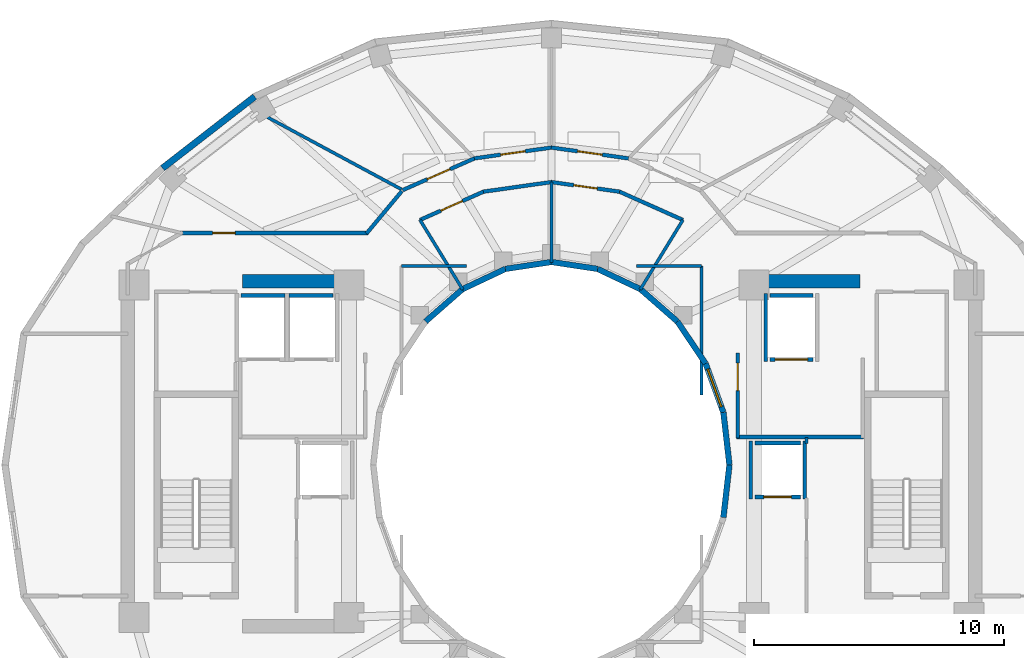
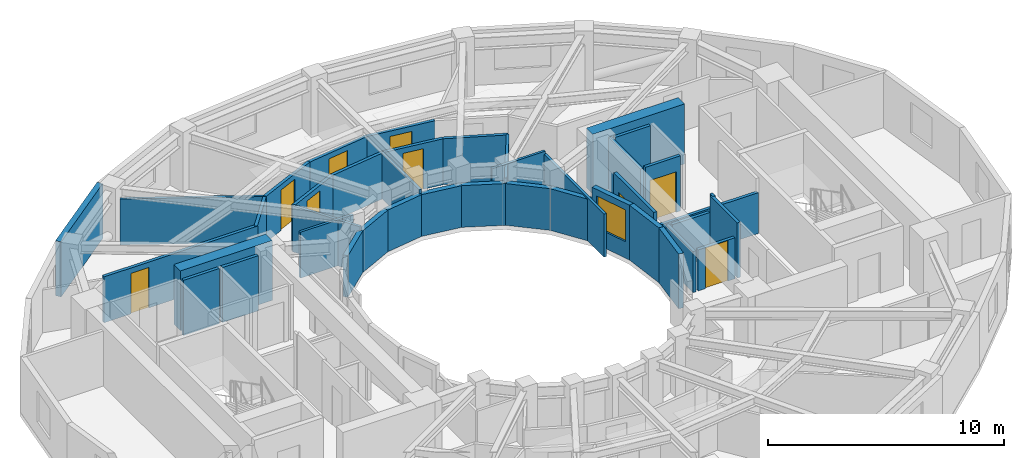
# One storey, part 5 of 9: 41 walls, 9 doors, 1 window, 10 openings.
"""IFC4 building model written with IfcOpenShell, lengths in metres."""

from ifc_helpers import new_model, si_unit, direction, frame, frame_2d, origin, place, context, subcontext, project, spatial, rectangle, extrude, material, layer, layer_set, type_object, element, fill, save


model = new_model("IFC4")

# Units and contexts
model_context = context("Model", 3, precision=1e-05, world=origin(), true_north=direction((0.0, 1.0)))
body_context = subcontext(model_context, "Body", "Model", "MODEL_VIEW")
ifc_project = project(units=[si_unit("LENGTHUNIT", "METRE"), si_unit("AREAUNIT", "SQUARE_METRE"), si_unit("VOLUMEUNIT", "CUBIC_METRE"), si_unit("PLANEANGLEUNIT", "RADIAN"), si_unit("MASSUNIT", "GRAM", prefix="KILO")], contexts=[model_context])

# Site, building, storey
site_placement = place(None, origin())
site = spatial("IfcSite", under=ifc_project, at=site_placement, CompositionType="ELEMENT")
building_placement = place(site_placement, origin())
building = spatial("IfcBuilding", under=site, at=building_placement, Name="Solvane Sanctuary Tower", CompositionType="ELEMENT")
storey_placement = place(building_placement, frame((0.0, 0.0, 232.60009765625)))
storey = spatial("IfcBuildingStorey", under=building, at=storey_placement, Name="L71", CompositionType="ELEMENT", Elevation=232.60009765625)

# Walls
ifc_material_1 = material(Name="Concrete C50/60", Category="concrete")
ifc_layer_1 = layer(ifc_material_1, 0.550048828125, Name="Concrete C50/60")
ifc_layer_set_1 = layer_set([ifc_layer_1], Name="Concrete C50/60")
wall_type_1 = type_object("IfcWallType", Name="Wall W-CORE-550", PredefinedType="SHEAR", material=ifc_layer_set_1)
for number, where, z_axis, x_axis, name in (
    (1, (19.64990234375, 30.35009765625, 0.0), (0.0, 0.0, 1.0), (1.0, 0.0, 0.0), "L71 Core Shear Wall WC-N"),
    (2, (39.85009765625, 30.35009765625, 0.0), (0.0, 0.0, 1.0), (1.0, 0.0, 0.0), "L71 Core Shear Wall EC-N"),
):
    element("IfcWall", number, at=place(storey_placement, frame(where, z_axis=z_axis, x_axis=x_axis)), inside=storey, type_object=wall_type_1, Name=name, PredefinedType="SHEAR", context=body_context, shape_type="SweptSolid", body=[
        extrude(rectangle(XDim=4.5, YDim=0.550048828125, at=frame_2d((2.25, 0.0))), origin(), (0.0, 0.0, 1.0), 3.099853515625),
    ])
ifc_material_2 = material(Name="Acoustic Gypsum Partition Board")
ifc_layer_2 = layer(ifc_material_2, 0.14990234375, Name="Acoustic Gypsum Partition Board")
ifc_layer_set_2 = layer_set([ifc_layer_2], Name="Acoustic Gypsum Partition Board")
wall_type_2 = type_object("IfcWallType", Name="Wall W-CORR-150", PredefinedType="PARTITIONING", material=ifc_layer_set_2)
wall_1_placement = place(storey_placement, frame((39.39990234375, 24.1201171875, 0.0), z_axis=(0.0, 0.0, 1.0), x_axis=(1.0, 0.0, 0.0)))
element("IfcWall", 3, at=wall_1_placement, inside=storey, type_object=wall_type_2, Name="L71 East Firefighting Lobby South Wall", PredefinedType="PARTITIONING", context=body_context, shape_type="SweptSolid", body=[
    extrude(rectangle(XDim=5.080078125, YDim=0.14990234375, at=frame_2d((2.5400390625, 0.0))), origin(), (0.0, 0.0, 1.0), 2.119873046875),
])

# Wall, opening, door
wall_2_placement = place(storey_placement, frame((39.449951171875, 24.080078125, 0.0), z_axis=(0.0, 0.0, 1.0), x_axis=(0.0, 1.0, 0.0)))
wall_2 = element("IfcWall", 4, at=wall_2_placement, inside=storey, type_object=wall_type_2, Name="L71 East Firefighting Lobby West Wall", PredefinedType="PARTITIONING", context=body_context, shape_type="SweptSolid", body=[
    extrude(rectangle(XDim=3.39990234375, YDim=0.14990234375, at=frame_2d((1.699951171875, 0.0))), origin(), (0.0, 0.0, 1.0), 2.85498046875),
])
opening_1_placement = place(wall_2_placement, frame((1.893798828125, 0.0, 0.0)))
opening_1 = element("IfcOpeningElement", 5, at=opening_1_placement, cuts=wall_2, Name="Opening D-L71-04", PredefinedType="OPENING", context=body_context, shape_type="SweptSolid", body=[
    extrude(rectangle(XDim=1.10009765625, YDim=2.10009765625, at=frame_2d((0.550048828125, 1.050048828125))), frame((0.0, 0.0849609375, 0.0), z_axis=(0.0, -1.0, 0.0), x_axis=(1.0, 0.0, 0.0)), (0.0, 0.0, 1.0), 0.169921875),
])
ifc_material_3 = material(Name="Architectural Stainless Steel 316", Category="steel")
door_type_1 = type_object("IfcDoorType", Name="Door D-FFL", OperationType="NOTDEFINED", PredefinedType="DOOR", material=ifc_material_3)
door_1_placement = place(opening_1_placement, origin())
door_1 = element("IfcDoor", 6, at=door_1_placement, inside=storey, type_object=door_type_1, Name="L71 East Firefighting Lobby Fire Door", OperationType="SINGLE_SWING_LEFT", OverallHeight=2.10009765625, OverallWidth=1.10009765625, PredefinedType="DOOR", context=body_context, shape_type="SweptSolid", body=[
    extrude(rectangle(XDim=1.10009765625, YDim=2.10009765625, at=frame_2d((0.550048828125, 1.050048828125))), frame((0.0, 0.02490234375, 0.0), z_axis=(0.0, -1.0, 0.0), x_axis=(1.0, 0.0, 0.0)), (0.0, 0.0, 1.0), 0.050048828125),
])
fill(opening_1, door_1)

# Wall
wall_3_placement = place(storey_placement, frame((37.265380859375, 32.797607421875, 0.0), z_axis=(0.0, 0.0, 1.0), x_axis=(-0.913254317828, 0.407389924971, 0.0)))
element("IfcWall", 7, at=wall_3_placement, inside=storey, type_object=wall_type_2, Name="L71 Light-Well Alcove Corridor Wall 1", PredefinedType="PARTITIONING", context=body_context, shape_type="SweptSolid", body=[
    extrude(rectangle(XDim=2.78662109375, YDim=0.14990234375, at=frame_2d((1.393310546875, 0.0))), origin(), (0.0, 0.0, 1.0), 2.3759765625),
])

# Wall, opening, door
wall_4_placement = place(storey_placement, frame((34.72412109375, 33.931884765625, 0.0), z_axis=(0.0, 0.0, 1.0), x_axis=(-0.990150268487, 0.140008734782, 0.0)))
wall_4 = element("IfcWall", 8, at=wall_4_placement, inside=storey, type_object=wall_type_2, Name="L71 Light-Well Alcove Corridor Wall 1", PredefinedType="PARTITIONING", context=body_context, shape_type="SweptSolid", body=[
    extrude(rectangle(XDim=2.758544921875, YDim=0.14990234375, at=frame_2d((1.37939453125, 0.0))), origin(), (0.0, 0.0, 1.0), 2.3759765625),
])
opening_2_placement = place(wall_4_placement, frame((0.904296875, 0.0, 0.0)))
opening_2 = element("IfcOpeningElement", 9, at=opening_2_placement, cuts=wall_4, Name="Opening D-L71-09", PredefinedType="OPENING", context=body_context, shape_type="SweptSolid", body=[
    extrude(rectangle(XDim=0.949951171875, YDim=2.10009765625, at=frame_2d((0.47509765625, 1.050048828125))), frame((0.0, 0.0849609375, 0.0), z_axis=(0.0, -1.0, 0.0), x_axis=(1.0, 0.0, 0.0)), (0.0, 0.0, 1.0), 0.169921875),
])
ifc_material_4 = material(Name="Engineered Tropical Hardwood", Category="wood")
door_type_2 = type_object("IfcDoorType", Name="Door D-ROOM-950", OperationType="NOTDEFINED", PredefinedType="DOOR", material=ifc_material_4)
door_2_placement = place(opening_2_placement, origin())
door_2 = element("IfcDoor", 10, at=door_2_placement, inside=storey, type_object=door_type_2, Name="L71 Light-Well Alcove Door 1", OperationType="SINGLE_SWING_RIGHT", OverallHeight=2.10009765625, OverallWidth=0.949951171875, PredefinedType="DOOR", context=body_context, shape_type="SweptSolid", body=[
    extrude(rectangle(XDim=0.949951171875, YDim=2.10009765625, at=frame_2d((0.47509765625, 1.050048828125))), frame((0.0, 0.02490234375, 0.0), z_axis=(0.0, -1.0, 0.0), x_axis=(1.0, 0.0, 0.0)), (0.0, 0.0, 1.0), 0.050048828125),
])
fill(opening_2, door_2)

# Wall
wall_5_placement = place(storey_placement, frame((32.00732421875, 34.318115234375, 0.0), z_axis=(0.0, 0.0, 1.0), x_axis=(-0.990150268487, -0.140008734782, 0.0)))
element("IfcWall", 11, at=wall_5_placement, inside=storey, type_object=wall_type_2, Name="L71 Light-Well Alcove Corridor Wall 2", PredefinedType="PARTITIONING", context=body_context, shape_type="SweptSolid", body=[
    extrude(rectangle(XDim=2.758544921875, YDim=0.14990234375, at=frame_2d((1.37939453125, 0.0))), origin(), (0.0, 0.0, 1.0), 2.3759765625),
])

# Wall, opening, door
wall_6_placement = place(storey_placement, frame((29.279541015625, 33.932861328125, 0.0), z_axis=(0.0, 0.0, 1.0), x_axis=(-0.913254317828, -0.407389924971, 0.0)))
wall_6 = element("IfcWall", 12, at=wall_6_placement, inside=storey, type_object=wall_type_2, Name="L71 Light-Well Alcove Corridor Wall 2", PredefinedType="PARTITIONING", context=body_context, shape_type="SweptSolid", body=[
    extrude(rectangle(XDim=2.78662109375, YDim=0.14990234375, at=frame_2d((1.393310546875, 0.0))), origin(), (0.0, 0.0, 1.0), 2.3759765625),
])
opening_3_placement = place(wall_6_placement, frame((0.918212890625, 0.0, 0.0)))
opening_3 = element("IfcOpeningElement", 13, at=opening_3_placement, cuts=wall_6, Name="Opening D-L71-10", PredefinedType="OPENING", context=body_context, shape_type="SweptSolid", body=[
    extrude(rectangle(XDim=0.949951171875, YDim=2.10009765625, at=frame_2d((0.47509765625, 1.050048828125))), frame((0.0, 0.0849609375, 0.0), z_axis=(0.0, -1.0, 0.0), x_axis=(1.0, 0.0, 0.0)), (0.0, 0.0, 1.0), 0.169921875),
])
door_3_placement = place(opening_3_placement, origin())
door_3 = element("IfcDoor", 14, at=door_3_placement, inside=storey, type_object=door_type_2, Name="L71 Light-Well Alcove Door 2", OperationType="SINGLE_SWING_LEFT", OverallHeight=2.10009765625, OverallWidth=0.949951171875, PredefinedType="DOOR", context=body_context, shape_type="SweptSolid", body=[
    extrude(rectangle(XDim=0.949951171875, YDim=2.10009765625, at=frame_2d((0.47509765625, 1.050048828125))), frame((0.0, 0.02490234375, 0.0), z_axis=(0.0, -1.0, 0.0), x_axis=(1.0, 0.0, 0.0)), (0.0, 0.0, 1.0), 0.050048828125),
])
fill(opening_3, door_3)

# Wall
wall_7_placement = place(storey_placement, frame((26.015869140625, 33.95458984375, 0.0), z_axis=(0.0, 0.0, 1.0), x_axis=(-0.64030392053, -0.76812166312, 0.0)))
element("IfcWall", 15, at=wall_7_placement, inside=storey, type_object=wall_type_2, Name="L71 NW Corner Throat Wall", PredefinedType="PARTITIONING", context=body_context, shape_type="SweptSolid", body=[
    extrude(rectangle(XDim=2.2099609375, YDim=0.14990234375, at=frame_2d((1.10498046875, 0.0))), origin(), (0.0, 0.0, 1.0), 2.3759765625),
])

# Wall, opening, door
wall_8_placement = place(storey_placement, frame((17.14990234375, 32.280029296875, 0.0), z_axis=(0.0, 0.0, 1.0), x_axis=(1.0, 0.0, 0.0)))
wall_8 = element("IfcWall", 16, at=wall_8_placement, inside=storey, type_object=wall_type_2, Name="L71 NW Corner Corridor Wall", PredefinedType="PARTITIONING", context=body_context, shape_type="SweptSolid", body=[
    extrude(rectangle(XDim=7.52001953125, YDim=0.14990234375, at=frame_2d((3.760009765625, 0.0))), origin(), (0.0, 0.0, 1.0), 2.3759765625),
])
opening_4_placement = place(wall_8_placement, frame((1.300048828125, 0.0, 0.0)))
opening_4 = element("IfcOpeningElement", 17, at=opening_4_placement, cuts=wall_8, Name="Opening D-L71-16", PredefinedType="OPENING", context=body_context, shape_type="SweptSolid", body=[
    extrude(rectangle(XDim=0.89990234375, YDim=2.10009765625, at=frame_2d((0.449951171875, 1.050048828125))), frame((0.0, 0.0849609375, 0.0), z_axis=(0.0, -1.0, 0.0), x_axis=(1.0, 0.0, 0.0)), (0.0, 0.0, 1.0), 0.169921875),
])
door_type_3 = type_object("IfcDoorType", Name="Door D-WET-900", OperationType="NOTDEFINED", PredefinedType="DOOR", material=ifc_material_4)
door_4_placement = place(opening_4_placement, origin())
door_4 = element("IfcDoor", 18, at=door_4_placement, inside=storey, type_object=door_type_3, Name="L71 NW Corner Salon Door", OperationType="SINGLE_SWING_LEFT", OverallHeight=2.10009765625, OverallWidth=0.89990234375, PredefinedType="DOOR", context=body_context, shape_type="SweptSolid", body=[
    extrude(rectangle(XDim=0.89990234375, YDim=2.10009765625, at=frame_2d((0.449951171875, 1.050048828125))), frame((0.0, 0.02490234375, 0.0), z_axis=(0.0, -1.0, 0.0), x_axis=(1.0, 0.0, 0.0)), (0.0, 0.0, 1.0), 0.050048828125),
])
fill(opening_4, door_4)

wall_9_placement = place(storey_placement, frame((35.08740234375, 35.262939453125, 0.0), z_axis=(0.0, 0.0, 1.0), x_axis=(-0.990268690673, 0.139168675614, 0.0)))
wall_9 = element("IfcWall", 19, at=wall_9_placement, inside=storey, type_object=wall_type_2, Name="L71 Unit Corridor Wall N2", PredefinedType="PARTITIONING", context=body_context, shape_type="SweptSolid", body=[
    extrude(rectangle(XDim=3.126220703125, YDim=0.14990234375, at=frame_2d((1.56298828125, 0.0))), origin(), (0.0, 0.0, 1.0), 2.3759765625),
])
opening_5_placement = place(wall_9_placement, frame((1.06298828125, 0.0, 0.0)))
opening_5 = element("IfcOpeningElement", 20, at=opening_5_placement, cuts=wall_9, Name="Opening D-L71-21", PredefinedType="OPENING", context=body_context, shape_type="SweptSolid", body=[
    extrude(rectangle(XDim=1.0, YDim=2.10009765625, at=frame_2d((0.5, 1.050048828125))), frame((0.0, 0.0849609375, 0.0), z_axis=(0.0, -1.0, 0.0), x_axis=(1.0, 0.0, 0.0)), (0.0, 0.0, 1.0), 0.169921875),
])
door_type_4 = type_object("IfcDoorType", Name="Door D-UNIT", OperationType="NOTDEFINED", PredefinedType="DOOR", material=ifc_material_4)
door_5_placement = place(opening_5_placement, origin())
door_5 = element("IfcDoor", 21, at=door_5_placement, inside=storey, type_object=door_type_4, Name="L71 Unit Entrance Door N2", OperationType="SINGLE_SWING_RIGHT", OverallHeight=2.10009765625, OverallWidth=1.0, PredefinedType="DOOR", context=body_context, shape_type="SweptSolid", body=[
    extrude(rectangle(XDim=1.0, YDim=2.10009765625, at=frame_2d((0.5, 1.050048828125))), frame((0.0, 0.02490234375, 0.0), z_axis=(0.0, -1.0, 0.0), x_axis=(1.0, 0.0, 0.0)), (0.0, 0.0, 1.0), 0.050048828125),
])
fill(opening_5, door_5)

wall_10_placement = place(storey_placement, frame((32.00830078125, 35.697998046875, 0.0), z_axis=(0.0, 0.0, 1.0), x_axis=(-0.990268690673, -0.139168675614, 0.0)))
wall_10 = element("IfcWall", 22, at=wall_10_placement, inside=storey, type_object=wall_type_2, Name="L71 Unit Corridor Wall N3", PredefinedType="PARTITIONING", context=body_context, shape_type="SweptSolid", body=[
    extrude(rectangle(XDim=3.126220703125, YDim=0.14990234375, at=frame_2d((1.56298828125, 0.0))), origin(), (0.0, 0.0, 1.0), 2.3759765625),
])
opening_6_placement = place(wall_10_placement, frame((1.06298828125, 0.0, 0.0)))
opening_6 = element("IfcOpeningElement", 23, at=opening_6_placement, cuts=wall_10, Name="Opening D-L71-22", PredefinedType="OPENING", context=body_context, shape_type="SweptSolid", body=[
    extrude(rectangle(XDim=1.0, YDim=2.10009765625, at=frame_2d((0.5, 1.050048828125))), frame((0.0, 0.0849609375, 0.0), z_axis=(0.0, -1.0, 0.0), x_axis=(1.0, 0.0, 0.0)), (0.0, 0.0, 1.0), 0.169921875),
])
door_6_placement = place(opening_6_placement, origin())
door_6 = element("IfcDoor", 24, at=door_6_placement, inside=storey, type_object=door_type_4, Name="L71 Unit Entrance Door N3", OperationType="SINGLE_SWING_LEFT", OverallHeight=2.10009765625, OverallWidth=1.0, PredefinedType="DOOR", context=body_context, shape_type="SweptSolid", body=[
    extrude(rectangle(XDim=1.0, YDim=2.10009765625, at=frame_2d((0.5, 1.050048828125))), frame((0.0, 0.02490234375, 0.0), z_axis=(0.0, -1.0, 0.0), x_axis=(1.0, 0.0, 0.0)), (0.0, 0.0, 1.0), 0.050048828125),
])
fill(opening_6, door_6)

wall_11_placement = place(storey_placement, frame((28.9287109375, 35.267578125, 0.0), z_axis=(0.0, 0.0, 1.0), x_axis=(-0.914642679993, -0.404263240891, 0.0)))
wall_11 = element("IfcWall", 25, at=wall_11_placement, inside=storey, type_object=wall_type_2, Name="L71 Unit Corridor Wall N4", PredefinedType="PARTITIONING", context=body_context, shape_type="SweptSolid", body=[
    extrude(rectangle(XDim=3.154296875, YDim=0.14990234375, at=frame_2d((1.5771484375, 0.0))), origin(), (0.0, 0.0, 1.0), 2.3759765625),
])
opening_7_placement = place(wall_11_placement, frame((1.076904296875, 0.0, 0.0)))
opening_7 = element("IfcOpeningElement", 26, at=opening_7_placement, cuts=wall_11, Name="Opening D-L71-23", PredefinedType="OPENING", context=body_context, shape_type="SweptSolid", body=[
    extrude(rectangle(XDim=1.0, YDim=2.10009765625, at=frame_2d((0.5, 1.050048828125))), frame((0.0, 0.0849609375, 0.0), z_axis=(0.0, -1.0, 0.0), x_axis=(1.0, 0.0, 0.0)), (0.0, 0.0, 1.0), 0.169921875),
])
door_7_placement = place(opening_7_placement, origin())
door_7 = element("IfcDoor", 27, at=door_7_placement, inside=storey, type_object=door_type_4, Name="L71 Unit Entrance Door N4", OperationType="SINGLE_SWING_RIGHT", OverallHeight=2.10009765625, OverallWidth=1.0, PredefinedType="DOOR", context=body_context, shape_type="SweptSolid", body=[
    extrude(rectangle(XDim=1.0, YDim=2.10009765625, at=frame_2d((0.5, 1.050048828125))), frame((0.0, 0.02490234375, 0.0), z_axis=(0.0, -1.0, 0.0), x_axis=(1.0, 0.0, 0.0)), (0.0, 0.0, 1.0), 0.050048828125),
])
fill(opening_7, door_7)

# Walls
ifc_material_5 = material(Name="Precast concrete C40/50", Category="concrete")
ifc_layer_3 = layer(ifc_material_5, 0.260009765625, Name="Precast concrete C40/50")
ifc_layer_set_3 = layer_set([ifc_layer_3], Name="Precast concrete C40/50")
wall_type_3 = type_object("IfcWallType", Name="Wall W-EXT-250", PredefinedType="STANDARD", material=ifc_layer_set_3)
wall_12_placement = place(storey_placement, frame((20.1298828125, 37.732666015625, 0.0), z_axis=(0.0, 0.0, 1.0), x_axis=(-0.790126214723, -0.612944177563, 0.0)))
element("IfcWall", 28, at=wall_12_placement, inside=storey, type_object=wall_type_3, Name="L71 Ceramic-Printed Facade Wall 08", PredefinedType="STANDARD", context=body_context, shape_type="SweptSolid", body=[
    extrude(rectangle(XDim=4.6669921875, YDim=0.260009765625, at=frame_2d((2.33349609375, 0.0))), origin(), (0.0, 0.0, 1.0), 2.849853515625),
])
ifc_layer_4 = layer(ifc_material_5, 0.22998046875, Name="Precast concrete C40/50")
ifc_layer_set_4 = layer_set([ifc_layer_4], Name="Precast concrete C40/50")
wall_type_4 = type_object("IfcWallType", Name="Wall W-EXT-SP220", PredefinedType="STANDARD", material=ifc_layer_set_4)
wall_13_placement = place(storey_placement, frame((39.1201171875, 23.0, 0.0), z_axis=(0.0, 0.0, 1.0), x_axis=(-0.114711713601, 0.993398823617, 0.0)))
element("IfcWall", 29, at=wall_13_placement, inside=storey, type_object=wall_type_4, Name="L71 Central Light-Well Wall 00", PredefinedType="STANDARD", context=body_context, shape_type="SweptSolid", body=[
    extrude(rectangle(XDim=2.115478515625, YDim=0.22998046875, at=frame_2d((1.0576171875, 0.0))), origin(), (0.0, 0.0, 1.0), 2.83984375),
])

# Wall, opening, window
wall_14_placement = place(storey_placement, frame((38.87744140625, 25.1015625, 0.0), z_axis=(0.0, 0.0, 1.0), x_axis=(-0.341423187295, 0.93990968033, 0.0)))
wall_14 = element("IfcWall", 30, at=wall_14_placement, inside=storey, type_object=wall_type_4, Name="L71 Central Light-Well Wall 01", PredefinedType="STANDARD", context=body_context, shape_type="SweptSolid", body=[
    extrude(rectangle(XDim=2.083740234375, YDim=0.22998046875, at=frame_2d((1.0419921875, 0.0))), origin(), (0.0, 0.0, 1.0), 2.83984375),
])
opening_8_placement = place(wall_14_placement, frame((0.24169921875, 0.0, 0.85009765625)))
opening_8 = element("IfcOpeningElement", 31, at=opening_8_placement, cuts=wall_14, Name="Opening WN-WELL-1600", PredefinedType="OPENING", context=body_context, shape_type="SweptSolid", body=[
    extrude(rectangle(XDim=1.60009765625, YDim=1.64990234375, at=frame_2d((0.800048828125, 0.824951171875))), frame((0.0, 0.125, 0.0), z_axis=(0.0, -1.0, 0.0), x_axis=(1.0, 0.0, 0.0)), (0.0, 0.0, 1.0), 0.25),
])
ifc_material_6 = material(Name="Clear Laminated Light-Well Glass", Category="glass")
window_type = type_object("IfcWindowType", Name="Window WN-WELL-1600", PartitioningType="SINGLE_PANEL", PredefinedType="WINDOW", material=ifc_material_6)
window_placement = place(opening_8_placement, origin())
window = element("IfcWindow", 32, at=window_placement, inside=storey, type_object=window_type, Name="L71 Light-Well Daylight Window 01", OverallHeight=1.64990234375, OverallWidth=1.60009765625, PartitioningType="SINGLE_PANEL", PredefinedType="WINDOW", context=body_context, shape_type="SweptSolid", body=[
    extrude(rectangle(XDim=1.60009765625, YDim=1.64990234375, at=frame_2d((0.800048828125, 0.824951171875))), frame((0.0, 0.030029296875, 0.0), z_axis=(0.0, -1.0, 0.0), x_axis=(1.0, 0.0, 0.0)), (0.0, 0.0, 1.0), 0.06005859375),
])
fill(opening_8, window)

# Walls
wall_15_placement = place(storey_placement, frame((38.166015625, 27.06005859375, 0.0), z_axis=(0.0, 0.0, 1.0), x_axis=(-0.558197800898, 0.829707909492, 0.0)))
element("IfcWall", 33, at=wall_15_placement, inside=storey, type_object=wall_type_4, Name="L71 Central Light-Well Wall 02", PredefinedType="STANDARD", context=body_context, shape_type="SweptSolid", body=[
    extrude(rectangle(XDim=2.02685546875, YDim=0.22998046875, at=frame_2d((1.013427734375, 0.0))), origin(), (0.0, 0.0, 1.0), 2.159912109375),
])
wall_16_placement = place(storey_placement, frame((37.03466796875, 28.74169921875, 0.0), z_axis=(0.0, 0.0, 1.0), x_axis=(-0.752576694707, 0.658504607869, 0.0)))
element("IfcWall", 34, at=wall_16_placement, inside=storey, type_object=wall_type_4, Name="L71 Central Light-Well Wall 03", PredefinedType="STANDARD", context=body_context, shape_type="SweptSolid", body=[
    extrude(rectangle(XDim=1.95947265625, YDim=0.22998046875, at=frame_2d((0.979736328125, 0.0))), origin(), (0.0, 0.0, 1.0), 2.159912109375),
])
wall_17_placement = place(storey_placement, frame((35.56005859375, 30.031982421875, 0.0), z_axis=(0.0, 0.0, 1.0), x_axis=(-0.904179699603, 0.427152280606, 0.0)))
element("IfcWall", 35, at=wall_17_placement, inside=storey, type_object=wall_type_4, Name="L71 Central Light-Well Wall 04", PredefinedType="STANDARD", context=body_context, shape_type="SweptSolid", body=[
    extrude(rectangle(XDim=1.899169921875, YDim=0.22998046875, at=frame_2d((0.94970703125, 0.0))), origin(), (0.0, 0.0, 1.0), 2.159912109375),
])
for number, where, z_axis, x_axis, name in (
    (36, (33.8427734375, 30.84326171875, 0.0), (0.0, 0.0, 1.0), (-0.988901730308, 0.148571086668, 0.0), "L71 Central Light-Well Wall 05"),
    (37, (32.0, 31.1201171875, 0.0), (0.0, 0.0, 1.0), (-0.988901730308, -0.148571086668, 0.0), "L71 Central Light-Well Wall 06"),
):
    element("IfcWall", number, at=place(storey_placement, frame(where, z_axis=z_axis, x_axis=x_axis)), inside=storey, type_object=wall_type_4, Name=name, PredefinedType="STANDARD", context=body_context, shape_type="SweptSolid", body=[
        extrude(rectangle(XDim=1.863525390625, YDim=0.22998046875, at=frame_2d((0.931640625, 0.0))), origin(), (0.0, 0.0, 1.0), 2.159912109375),
    ])
wall_18_placement = place(storey_placement, frame((30.1572265625, 30.84326171875, 0.0), z_axis=(0.0, 0.0, 1.0), x_axis=(-0.904179699603, -0.427152280606, 0.0)))
element("IfcWall", 38, at=wall_18_placement, inside=storey, type_object=wall_type_4, Name="L71 Central Light-Well Wall 07", PredefinedType="STANDARD", context=body_context, shape_type="SweptSolid", body=[
    extrude(rectangle(XDim=1.899169921875, YDim=0.22998046875, at=frame_2d((0.94970703125, 0.0))), origin(), (0.0, 0.0, 1.0), 2.159912109375),
])
wall_19_placement = place(storey_placement, frame((28.43994140625, 30.031982421875, 0.0), z_axis=(0.0, 0.0, 1.0), x_axis=(-0.752576694707, -0.658504607869, 0.0)))
element("IfcWall", 39, at=wall_19_placement, inside=storey, type_object=wall_type_4, Name="L71 Central Light-Well Wall 08", PredefinedType="STANDARD", context=body_context, shape_type="SweptSolid", body=[
    extrude(rectangle(XDim=1.95947265625, YDim=0.22998046875, at=frame_2d((0.979736328125, 0.0))), origin(), (0.0, 0.0, 1.0), 2.159912109375),
])
wall_20_placement = place(storey_placement, frame((38.87744140625, 20.8984375, 0.0), z_axis=(0.0, 0.0, 1.0), x_axis=(0.114711713601, 0.993398823617, 0.0)))
element("IfcWall", 40, at=wall_20_placement, inside=storey, type_object=wall_type_4, Name="L71 Central Light-Well Wall 23", PredefinedType="STANDARD", context=body_context, shape_type="SweptSolid", body=[
    extrude(rectangle(XDim=2.115478515625, YDim=0.22998046875, at=frame_2d((1.0576171875, 0.0))), origin(), (0.0, 0.0, 1.0), 2.83984375),
])
ifc_layer_5 = layer(ifc_material_2, 0.125, Name="Acoustic Gypsum Partition Board")
ifc_layer_set_5 = layer_set([ifc_layer_5], Name="Acoustic Gypsum Partition Board")
wall_type_5 = type_object("IfcWallType", Name="Wall W-PART-125", PredefinedType="PARTITIONING", material=ifc_layer_set_5)
wall_21_placement = place(storey_placement, frame((42.199951171875, 23.85009765625, 0.0), z_axis=(0.0, 0.0, 1.0), x_axis=(0.0, 1.0, 0.0)))
element("IfcWall", 41, at=wall_21_placement, inside=storey, type_object=wall_type_5, Name="L71 Reclaimed Room Dividing Wall PME", PredefinedType="PARTITIONING", context=body_context, shape_type="SweptSolid", body=[
    extrude(rectangle(XDim=0.25, YDim=0.125, at=frame_2d((0.125, 0.0))), origin(), (0.0, 0.0, 1.0), 2.85498046875),
])
wall_22_placement = place(storey_placement, frame((35.550048828125, 30.014892578125, 0.0), z_axis=(0.0, 0.0, 1.0), x_axis=(0.522763432117, 0.852477796802, 0.0)))
element("IfcWall", 42, at=wall_22_placement, inside=storey, type_object=wall_type_5, Name="L71 Light-Well Alcove Radial Wall 60", PredefinedType="PARTITIONING", context=body_context, shape_type="SweptSolid", body=[
    extrude(rectangle(XDim=3.26904296875, YDim=0.125, at=frame_2d((1.634521484375, 0.0))), origin(), (0.0, 0.0, 1.0), 2.3759765625),
])
wall_23_placement = place(storey_placement, frame((32.0, 31.10009765625, 0.0), z_axis=(0.0, 0.0, 1.0), x_axis=(0.0, 1.0, 0.0)))
element("IfcWall", 43, at=wall_23_placement, inside=storey, type_object=wall_type_5, Name="L71 Light-Well Alcove Radial Wall 90", PredefinedType="PARTITIONING", context=body_context, shape_type="SweptSolid", body=[
    extrude(rectangle(XDim=3.218017578125, YDim=0.125, at=frame_2d((1.60888671875, 0.0))), origin(), (0.0, 0.0, 1.0), 2.3759765625),
])
wall_24_placement = place(storey_placement, frame((28.449951171875, 30.014892578125, 0.0), z_axis=(0.0, 0.0, 1.0), x_axis=(-0.522763432117, 0.852477796802, 0.0)))
element("IfcWall", 44, at=wall_24_placement, inside=storey, type_object=wall_type_5, Name="L71 Light-Well Alcove Radial Wall 120", PredefinedType="PARTITIONING", context=body_context, shape_type="SweptSolid", body=[
    extrude(rectangle(XDim=3.26904296875, YDim=0.125, at=frame_2d((1.634521484375, 0.0))), origin(), (0.0, 0.0, 1.0), 2.3759765625),
])
wall_25_placement = place(storey_placement, frame((26.0, 30.9599609375, 0.0), z_axis=(0.0, 0.0, 1.0), x_axis=(1.0, 0.0, 0.0)))
element("IfcWall", 45, at=wall_25_placement, inside=storey, type_object=wall_type_5, Name="L71 Bridge Alcove Wall 2", PredefinedType="PARTITIONING", context=body_context, shape_type="SweptSolid", body=[
    extrude(rectangle(XDim=2.60009765625, YDim=0.125, at=frame_2d((1.300048828125, 0.0))), origin(), (0.0, 0.0, 1.0), 2.3759765625),
])
wall_26_placement = place(storey_placement, frame((38.0, 25.800048828125, 0.0), z_axis=(0.0, 0.0, 1.0), x_axis=(0.0, 1.0, 0.0)))
element("IfcWall", 46, at=wall_26_placement, inside=storey, type_object=wall_type_5, Name="L71 Bridge Alcove Wall 3", PredefinedType="PARTITIONING", context=body_context, shape_type="SweptSolid", body=[
    extrude(rectangle(XDim=5.159912109375, YDim=0.125, at=frame_2d((2.580078125, 0.0))), origin(), (0.0, 0.0, 1.0), 2.23193359375),
])
wall_27_placement = place(storey_placement, frame((35.39990234375, 30.9599609375, 0.0), z_axis=(0.0, 0.0, 1.0), x_axis=(1.0, 0.0, 0.0)))
element("IfcWall", 47, at=wall_27_placement, inside=storey, type_object=wall_type_5, Name="L71 Bridge Alcove Wall 4", PredefinedType="PARTITIONING", context=body_context, shape_type="SweptSolid", body=[
    extrude(rectangle(XDim=2.60009765625, YDim=0.125, at=frame_2d((1.300048828125, 0.0))), origin(), (0.0, 0.0, 1.0), 2.3759765625),
])
wall_28_placement = place(storey_placement, frame((26.002685546875, 34.02294921875, 0.0), z_axis=(0.0, 0.0, 1.0), x_axis=(-0.880531534665, 0.473987569943, 0.0)))
element("IfcWall", 48, at=wall_28_placement, inside=storey, type_object=wall_type_5, Name="L71 Radial Compartment Wall 120", PredefinedType="PARTITIONING", context=body_context, shape_type="SweptSolid", body=[
    extrude(rectangle(XDim=6.095947265625, YDim=0.125, at=frame_2d((3.0478515625, 0.0))), origin(), (0.0, 0.0, 1.0), 2.3759765625),
])

# Wall, opening, door
ifc_layer_6 = layer(ifc_material_1, 0.14990234375, Name="Concrete C50/60")
ifc_layer_set_6 = layer_set([ifc_layer_6], Name="Concrete C50/60")
wall_type_6 = type_object("IfcWallType", Name="Wall W-SHAFT-150", PredefinedType="SOLIDWALL", material=ifc_layer_set_6)
wall_29_placement = place(storey_placement, frame((40.139892578125, 21.719970703125, 0.0), z_axis=(0.0, 0.0, 1.0), x_axis=(1.0, 0.0, 0.0)))
wall_29 = element("IfcWall", 49, at=wall_29_placement, inside=storey, type_object=wall_type_6, Name="L71 PH-2 Lift Shaft Wall F", PredefinedType="SOLIDWALL", context=body_context, shape_type="SweptSolid", body=[
    extrude(rectangle(XDim=1.820068359375, YDim=0.14990234375, at=frame_2d((0.91015625, 0.0))), origin(), (0.0, 0.0, 1.0), 2.119873046875),
])
opening_9_placement = place(wall_29_placement, frame((0.360107421875, 0.0, 0.0)))
opening_9 = element("IfcOpeningElement", 50, at=opening_9_placement, cuts=wall_29, Name="Opening LD-L71-02", PredefinedType="OPENING", context=body_context, shape_type="SweptSolid", body=[
    extrude(rectangle(XDim=1.10009765625, YDim=2.10009765625, at=frame_2d((0.550048828125, 1.050048828125))), frame((0.0, 0.0849609375, 0.0), z_axis=(0.0, -1.0, 0.0), x_axis=(1.0, 0.0, 0.0)), (0.0, 0.0, 1.0), 0.169921875),
])
door_type_5 = type_object("IfcDoorType", Name="Door LD-PASS-1100", OperationType="NOTDEFINED", PredefinedType="DOOR", material=ifc_material_3)
door_8_placement = place(opening_9_placement, origin())
door_8 = element("IfcDoor", 51, at=door_8_placement, inside=storey, type_object=door_type_5, Name="L71 PH-2 Lift Landing Door", OperationType="DOUBLE_DOOR_SLIDING", OverallHeight=2.10009765625, OverallWidth=1.10009765625, PredefinedType="DOOR", context=body_context, shape_type="SweptSolid", body=[
    extrude(rectangle(XDim=1.10009765625, YDim=2.10009765625, at=frame_2d((0.550048828125, 1.050048828125))), frame((0.0, 0.02490234375, 0.0), z_axis=(0.0, -1.0, 0.0), x_axis=(1.0, 0.0, 0.0)), (0.0, 0.0, 1.0), 0.050048828125),
])
fill(opening_9, door_8)

# Walls
wall_30_placement = place(storey_placement, frame((40.139892578125, 23.8798828125, 0.0), z_axis=(0.0, 0.0, 1.0), x_axis=(1.0, 0.0, 0.0)))
element("IfcWall", 52, at=wall_30_placement, inside=storey, type_object=wall_type_6, Name="L71 PH-2 Lift Shaft Wall B", PredefinedType="SOLIDWALL", context=body_context, shape_type="SweptSolid", body=[
    extrude(rectangle(XDim=1.820068359375, YDim=0.14990234375, at=frame_2d((0.91015625, 0.0))), origin(), (0.0, 0.0, 1.0), 2.119873046875),
])
wall_31_placement = place(storey_placement, frame((39.969970703125, 21.639892578125, 0.0), z_axis=(0.0, 0.0, 1.0), x_axis=(0.0, 1.0, 0.0)))
element("IfcWall", 53, at=wall_31_placement, inside=storey, type_object=wall_type_6, Name="L71 PH-2 Lift Shaft Wall S1", PredefinedType="SOLIDWALL", context=body_context, shape_type="SweptSolid", body=[
    extrude(rectangle(XDim=2.320068359375, YDim=0.14990234375, at=frame_2d((1.16015625, 0.0))), origin(), (0.0, 0.0, 1.0), 2.119873046875),
])
wall_32_placement = place(storey_placement, frame((42.1298828125, 21.639892578125, 0.0), z_axis=(0.0, 0.0, 1.0), x_axis=(0.0, 1.0, 0.0)))
element("IfcWall", 54, at=wall_32_placement, inside=storey, type_object=wall_type_6, Name="L71 PH-2 Lift Shaft Wall S2", PredefinedType="SOLIDWALL", context=body_context, shape_type="SweptSolid", body=[
    extrude(rectangle(XDim=2.320068359375, YDim=0.14990234375, at=frame_2d((1.16015625, 0.0))), origin(), (0.0, 0.0, 1.0), 2.85498046875),
])
for number, where, z_axis, x_axis, name in (
    (55, (19.590087890625, 29.780029296875, 0.0), (0.0, 0.0, 1.0), (1.0, 0.0, 0.0), "L71 FFL-1 Lift Shaft Wall B"),
    (56, (21.5, 29.780029296875, 0.0), (0.0, 0.0, 1.0), (1.0, 0.0, 0.0), "L71 SVL-1 Lift Shaft Wall B"),
):
    element("IfcWall", number, at=place(storey_placement, frame(where, z_axis=z_axis, x_axis=x_axis)), inside=storey, type_object=wall_type_6, Name=name, PredefinedType="SOLIDWALL", context=body_context, shape_type="SweptSolid", body=[
        extrude(rectangle(XDim=1.760009765625, YDim=0.14990234375, at=frame_2d((0.8798828125, 0.0))), origin(), (0.0, 0.0, 1.0), 2.85498046875),
    ])

# Wall, opening, door
wall_33_placement = place(storey_placement, frame((40.739990234375, 27.219970703125, 0.0), z_axis=(0.0, 0.0, 1.0), x_axis=(1.0, 0.0, 0.0)))
wall_33 = element("IfcWall", 57, at=wall_33_placement, inside=storey, type_object=wall_type_6, Name="L71 FFL-2 Lift Shaft Wall F", PredefinedType="SOLIDWALL", context=body_context, shape_type="SweptSolid", body=[
    extrude(rectangle(XDim=1.719970703125, YDim=0.14990234375, at=frame_2d((0.85986328125, 0.0))), origin(), (0.0, 0.0, 1.0), 2.85498046875),
])
opening_10_placement = place(wall_33_placement, frame((0.2099609375, 0.0, 0.0)))
opening_10 = element("IfcOpeningElement", 58, at=opening_10_placement, cuts=wall_33, Name="Opening LD-L71-05", PredefinedType="OPENING", context=body_context, shape_type="SweptSolid", body=[
    extrude(rectangle(XDim=1.300048828125, YDim=2.10009765625, at=frame_2d((0.64990234375, 1.050048828125))), frame((0.0, 0.0849609375, 0.0), z_axis=(0.0, -1.0, 0.0), x_axis=(1.0, 0.0, 0.0)), (0.0, 0.0, 1.0), 0.169921875),
])
door_type_6 = type_object("IfcDoorType", Name="Door LD-FFL-1300", OperationType="NOTDEFINED", PredefinedType="DOOR", material=ifc_material_3)
door_9_placement = place(opening_10_placement, origin())
door_9 = element("IfcDoor", 59, at=door_9_placement, inside=storey, type_object=door_type_6, Name="L71 FFL-2 Lift Landing Door", OperationType="DOUBLE_DOOR_SLIDING", OverallHeight=2.10009765625, OverallWidth=1.300048828125, PredefinedType="DOOR", context=body_context, shape_type="SweptSolid", body=[
    extrude(rectangle(XDim=1.300048828125, YDim=2.10009765625, at=frame_2d((0.64990234375, 1.050048828125))), frame((0.0, 0.02490234375, 0.0), z_axis=(0.0, -1.0, 0.0), x_axis=(1.0, 0.0, 0.0)), (0.0, 0.0, 1.0), 0.050048828125),
])
fill(opening_10, door_9)

# Walls
wall_34_placement = place(storey_placement, frame((40.739990234375, 29.780029296875, 0.0), z_axis=(0.0, 0.0, 1.0), x_axis=(1.0, 0.0, 0.0)))
element("IfcWall", 60, at=wall_34_placement, inside=storey, type_object=wall_type_6, Name="L71 FFL-2 Lift Shaft Wall B", PredefinedType="SOLIDWALL", context=body_context, shape_type="SweptSolid", body=[
    extrude(rectangle(XDim=1.719970703125, YDim=0.14990234375, at=frame_2d((0.85986328125, 0.0))), origin(), (0.0, 0.0, 1.0), 2.85498046875),
])
wall_35_placement = place(storey_placement, frame((40.570068359375, 27.139892578125, 0.0), z_axis=(0.0, 0.0, 1.0), x_axis=(0.0, 1.0, 0.0)))
element("IfcWall", 61, at=wall_35_placement, inside=storey, type_object=wall_type_6, Name="L71 FFL-2 Lift Shaft Wall S1", PredefinedType="SOLIDWALL", context=body_context, shape_type="SweptSolid", body=[
    extrude(rectangle(XDim=2.72021484375, YDim=0.14990234375, at=frame_2d((1.360107421875, 0.0))), origin(), (0.0, 0.0, 1.0), 2.85498046875),
])

save(model, "model.ifc")
